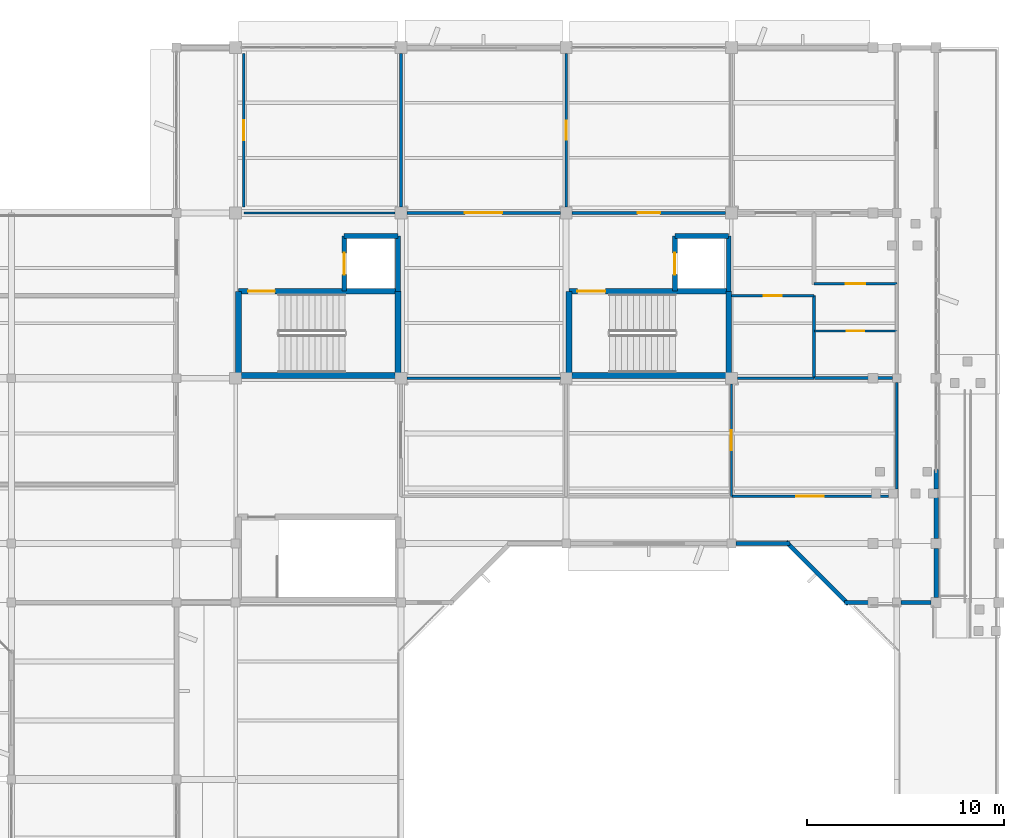
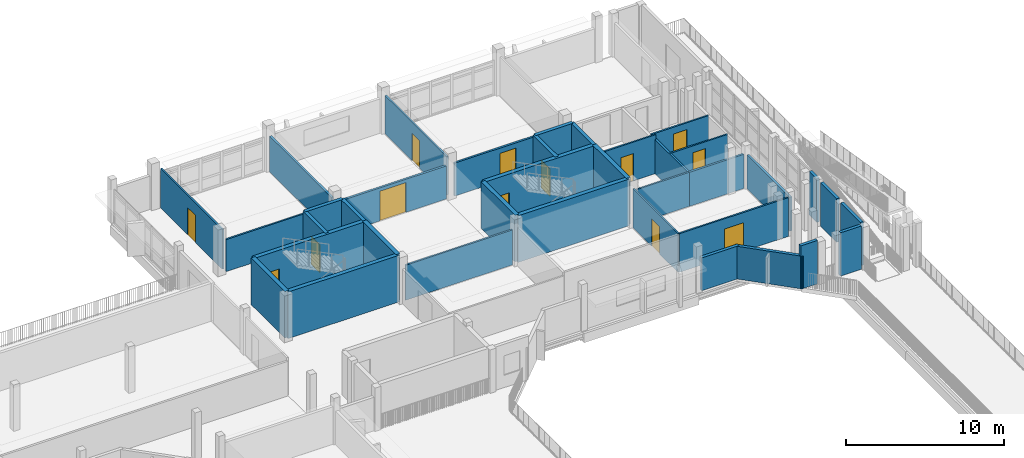
# One storey, part 23 of 42: 37 walls, 13 doors, 13 openings.
"""IFC4 building model written with IfcOpenShell, lengths in metres."""

from ifc_helpers import new_model, si_unit, direction, frame, frame_2d, origin, place, context, subcontext, project, spatial, rectangle, extrude, material, layer, layer_set, type_object, element, fill, save


model = new_model("IFC4")

# Units and contexts
model_context = context("Model", 3, precision=1e-05, world=origin(), true_north=direction((0.0, 1.0)))
body_context = subcontext(model_context, "Body", "Model", "MODEL_VIEW")
ifc_project = project(units=[si_unit("LENGTHUNIT", "METRE"), si_unit("AREAUNIT", "SQUARE_METRE"), si_unit("VOLUMEUNIT", "CUBIC_METRE"), si_unit("PLANEANGLEUNIT", "RADIAN"), si_unit("MASSUNIT", "GRAM", prefix="KILO")], contexts=[model_context])

# Site, building, storey
site_placement = place(None, origin())
site = spatial("IfcSite", under=ifc_project, at=site_placement, CompositionType="ELEMENT")
building_placement = place(site_placement, origin())
building = spatial("IfcBuilding", under=site, at=building_placement, Name="Vanh Quang Courtyard School", CompositionType="ELEMENT")
storey_placement = place(building_placement, frame((0.0, 0.0, 15.0)))
storey = spatial("IfcBuildingStorey", under=building, at=storey_placement, Name="L04", CompositionType="ELEMENT", Elevation=15.0)

# Walls
ifc_material_1 = material(Name="Concrete C35/45", Category="concrete")
ifc_layer_1 = layer(ifc_material_1, 0.300048828125)
ifc_layer_set_1 = layer_set([ifc_layer_1], Name="Concrete C35/45")
wall_type_1 = type_object("IfcWallType", Name="W-CORE-300", PredefinedType="SHEAR", material=ifc_layer_set_1)
wall_1_placement = place(storey_placement, frame((77.5400390625, 79.93994140625, 0.0), z_axis=(0.0, 0.0, 1.0), x_axis=(1.0, 0.0, 0.0)))
element("IfcWall", 1, at=wall_1_placement, inside=storey, type_object=wall_type_1, Name="Wall W-CORE1 (L04)", PredefinedType="SHEAR", context=body_context, shape_type="SweptSolid", body=[
    extrude(rectangle(XDim=8.119873046875, YDim=0.300048828125, at=frame_2d((4.06005859375, 0.0))), origin(), (0.0, 0.0, 1.0), 3.60009765625),
])
wall_2_placement = place(storey_placement, frame((85.659912109375, 79.93994140625, 0.0), z_axis=(0.0, 0.0, 1.0), x_axis=(0.0, 1.0, 0.0)))
element("IfcWall", 2, at=wall_2_placement, inside=storey, type_object=wall_type_1, Name="Wall W-CORE1 (L04)", PredefinedType="SHEAR", context=body_context, shape_type="SweptSolid", body=[
    extrude(rectangle(XDim=4.280029296875, YDim=0.300048828125, at=frame_2d((2.14013671875, 0.0))), origin(), (0.0, 0.0, 1.0), 3.60009765625),
])

# Wall, opening, door
wall_3_placement = place(storey_placement, frame((85.659912109375, 84.219970703125, 0.0), z_axis=(0.0, 0.0, 1.0), x_axis=(-1.0, 0.0, 0.0)))
wall_3 = element("IfcWall", 3, at=wall_3_placement, inside=storey, type_object=wall_type_1, Name="Wall W-CORE1 (L04)", PredefinedType="SHEAR", context=body_context, shape_type="SweptSolid", body=[
    extrude(rectangle(XDim=8.119873046875, YDim=0.300048828125, at=frame_2d((4.06005859375, 0.0))), origin(), (0.0, 0.0, 1.0), 3.60009765625),
])
opening_1_placement = place(wall_3_placement, frame((6.27001953125, 0.0, 0.0)))
opening_1 = element("IfcOpeningElement", 4, at=opening_1_placement, cuts=wall_3, Name="Opening L04-DS1", PredefinedType="OPENING", context=body_context, shape_type="SweptSolid", body=[
    extrude(rectangle(XDim=1.35009765625, YDim=2.14990234375, at=frame_2d((0.675048828125, 1.074951171875))), frame((0.0, 0.16015625, 0.0), z_axis=(0.0, -1.0, 0.0), x_axis=(1.0, 0.0, 0.0)), (0.0, 0.0, 1.0), 0.320068359375),
])
ifc_material_2 = material(Name="Painted galvanised steel fire door", Category="steel")
door_type_1 = type_object("IfcDoorType", Name="IDR-ST-1350x2150", OperationType="NOTDEFINED", PredefinedType="DOOR", material=ifc_material_2)
door_1_placement = place(opening_1_placement, frame((1.35009765625, 0.0, 0.0), z_axis=(0.0, 0.0, 1.0), x_axis=(-1.0, 0.0, 0.0)))
door_1 = element("IfcDoor", 5, at=door_1_placement, inside=storey, type_object=door_type_1, Name="Door L04-DS1 (L04)", OperationType="SINGLE_SWING_RIGHT", OverallHeight=2.14990234375, OverallWidth=1.35009765625, PredefinedType="DOOR", context=body_context, shape_type="SweptSolid", body=[
    extrude(rectangle(XDim=1.35009765625, YDim=2.14990234375, at=frame_2d((0.675048828125, 1.074951171875))), frame((0.0, 0.02490234375, 0.0), z_axis=(0.0, -1.0, 0.0), x_axis=(1.0, 0.0, 0.0)), (0.0, 0.0, 1.0), 0.050048828125),
])
fill(opening_1, door_1)

# Walls
wall_4_placement = place(storey_placement, frame((77.5400390625, 84.219970703125, 0.0), z_axis=(0.0, 0.0, 1.0), x_axis=(0.0, -1.0, 0.0)))
element("IfcWall", 6, at=wall_4_placement, inside=storey, type_object=wall_type_1, Name="Wall W-CORE1 (L04)", PredefinedType="SHEAR", context=body_context, shape_type="SweptSolid", body=[
    extrude(rectangle(XDim=4.280029296875, YDim=0.300048828125, at=frame_2d((2.14013671875, 0.0))), origin(), (0.0, 0.0, 1.0), 3.60009765625),
])
wall_5_placement = place(storey_placement, frame((94.340087890625, 79.93994140625, 0.0), z_axis=(0.0, 0.0, 1.0), x_axis=(1.0, 0.0, 0.0)))
element("IfcWall", 7, at=wall_5_placement, inside=storey, type_object=wall_type_1, Name="Wall W-CORE1 (L04)", PredefinedType="SHEAR", context=body_context, shape_type="SweptSolid", body=[
    extrude(rectangle(XDim=8.119873046875, YDim=0.300048828125, at=frame_2d((4.06005859375, 0.0))), origin(), (0.0, 0.0, 1.0), 3.60009765625),
])
wall_6_placement = place(storey_placement, frame((102.4599609375, 79.93994140625, 0.0), z_axis=(0.0, 0.0, 1.0), x_axis=(0.0, 1.0, 0.0)))
element("IfcWall", 8, at=wall_6_placement, inside=storey, type_object=wall_type_1, Name="Wall W-CORE1 (L04)", PredefinedType="SHEAR", context=body_context, shape_type="SweptSolid", body=[
    extrude(rectangle(XDim=4.280029296875, YDim=0.300048828125, at=frame_2d((2.14013671875, 0.0))), origin(), (0.0, 0.0, 1.0), 3.60009765625),
])

# Wall, opening, door
wall_7_placement = place(storey_placement, frame((102.4599609375, 84.219970703125, 0.0), z_axis=(0.0, 0.0, 1.0), x_axis=(-1.0, 0.0, 0.0)))
wall_7 = element("IfcWall", 9, at=wall_7_placement, inside=storey, type_object=wall_type_1, Name="Wall W-CORE1 (L04)", PredefinedType="SHEAR", context=body_context, shape_type="SweptSolid", body=[
    extrude(rectangle(XDim=8.119873046875, YDim=0.300048828125, at=frame_2d((4.06005859375, 0.0))), origin(), (0.0, 0.0, 1.0), 3.60009765625),
])
opening_2_placement = place(wall_7_placement, frame((6.27001953125, 0.0, 0.0)))
opening_2 = element("IfcOpeningElement", 10, at=opening_2_placement, cuts=wall_7, Name="Opening L04-DS2", PredefinedType="OPENING", context=body_context, shape_type="SweptSolid", body=[
    extrude(rectangle(XDim=1.419921875, YDim=2.14990234375, at=frame_2d((0.7099609375, 1.074951171875))), frame((0.0, 0.16015625, 0.0), z_axis=(0.0, -1.0, 0.0), x_axis=(1.0, 0.0, 0.0)), (0.0, 0.0, 1.0), 0.320068359375),
])
door_type_2 = type_object("IfcDoorType", Name="IDR-ST-1420x2150", OperationType="NOTDEFINED", PredefinedType="DOOR", material=ifc_material_2)
door_2_placement = place(opening_2_placement, frame((1.419921875, 0.0, 0.0), z_axis=(0.0, 0.0, 1.0), x_axis=(-1.0, 0.0, 0.0)))
door_2 = element("IfcDoor", 11, at=door_2_placement, inside=storey, type_object=door_type_2, Name="Door L04-DS2 (L04)", OperationType="SINGLE_SWING_LEFT", OverallHeight=2.14990234375, OverallWidth=1.419921875, PredefinedType="DOOR", context=body_context, shape_type="SweptSolid", body=[
    extrude(rectangle(XDim=1.419921875, YDim=2.14990234375, at=frame_2d((0.7099609375, 1.074951171875))), frame((0.0, 0.02490234375, 0.0), z_axis=(0.0, -1.0, 0.0), x_axis=(1.0, 0.0, 0.0)), (0.0, 0.0, 1.0), 0.050048828125),
])
fill(opening_2, door_2)

# Walls
wall_8_placement = place(storey_placement, frame((94.340087890625, 84.219970703125, 0.0), z_axis=(0.0, 0.0, 1.0), x_axis=(0.0, -1.0, 0.0)))
element("IfcWall", 12, at=wall_8_placement, inside=storey, type_object=wall_type_1, Name="Wall W-CORE1 (L04)", PredefinedType="SHEAR", context=body_context, shape_type="SweptSolid", body=[
    extrude(rectangle(XDim=4.280029296875, YDim=0.300048828125, at=frame_2d((2.14013671875, 0.0))), origin(), (0.0, 0.0, 1.0), 3.60009765625),
])
ifc_material_3 = material(Name="Concrete C30/37", Category="concrete")
ifc_layer_2 = layer(ifc_material_3, 0.219970703125)
ifc_layer_set_2 = layer_set([ifc_layer_2], Name="Concrete C30/37")
wall_type_2 = type_object("IfcWallType", Name="W-EXT-220", PredefinedType="SOLIDWALL", material=ifc_layer_set_2)
wall_9_placement = place(storey_placement, frame((113.0, 75.169921875, 0.0), z_axis=(0.0, 0.0, 1.0), x_axis=(0.0, -1.0, 0.0)))
element("IfcWall", 13, at=wall_9_placement, inside=storey, type_object=wall_type_2, Name="Wall WE-04 (L04)", PredefinedType="SOLIDWALL", context=body_context, shape_type="SweptSolid", body=[
    extrude(rectangle(XDim=0.996826171875, YDim=0.219970703125, at=frame_2d((0.49853515625, 0.0))), origin(), (0.0, 0.0, 1.0), 3.35009765625),
])
wall_10_placement = place(storey_placement, frame((113.0, 73.72705078125, 0.0), z_axis=(0.0, 0.0, 1.0), x_axis=(0.0, -1.0, 0.0)))
element("IfcWall", 14, at=wall_10_placement, inside=storey, type_object=wall_type_2, Name="Wall WE-04 (L04)", PredefinedType="SOLIDWALL", context=body_context, shape_type="SweptSolid", body=[
    extrude(rectangle(XDim=2.0791015625, YDim=0.219970703125, at=frame_2d((1.03955078125, 0.0))), origin(), (0.0, 0.0, 1.0), 3.35009765625),
])
wall_11_placement = place(storey_placement, frame((113.0, 71.152099609375, 0.0), z_axis=(0.0, 0.0, 1.0), x_axis=(0.0, -1.0, 0.0)))
element("IfcWall", 15, at=wall_11_placement, inside=storey, type_object=wall_type_2, Name="Wall WE-04 (L04)", PredefinedType="SOLIDWALL", context=body_context, shape_type="SweptSolid", body=[
    extrude(rectangle(XDim=2.504150390625, YDim=0.219970703125, at=frame_2d((1.251953125, 0.0))), origin(), (0.0, 0.0, 1.0), 3.35009765625),
])
wall_12_placement = place(storey_placement, frame((112.751953125, 68.39990234375, 0.0), z_axis=(0.0, 0.0, 1.0), x_axis=(-1.0, 0.0, 0.0)))
element("IfcWall", 16, at=wall_12_placement, inside=storey, type_object=wall_type_2, Name="Wall WE-04 (L04)", PredefinedType="SOLIDWALL", context=body_context, shape_type="SweptSolid", body=[
    extrude(rectangle(XDim=1.529052734375, YDim=0.219970703125, at=frame_2d((0.7646484375, 0.0))), origin(), (0.0, 0.0, 1.0), 3.35009765625),
])
wall_13_placement = place(storey_placement, frame((109.552001953125, 68.39990234375, 0.0), z_axis=(0.0, 0.0, 1.0), x_axis=(-1.0, 0.0, 0.0)))
element("IfcWall", 17, at=wall_13_placement, inside=storey, type_object=wall_type_2, Name="Wall WE-04 (L04)", PredefinedType="SOLIDWALL", context=body_context, shape_type="SweptSolid", body=[
    extrude(rectangle(XDim=1.216064453125, YDim=0.219970703125, at=frame_2d((0.60791015625, 0.0))), origin(), (0.0, 0.0, 1.0), 3.35009765625),
])
wall_14_placement = place(storey_placement, frame((108.541015625, 68.315185546875, 0.0), z_axis=(0.0, 0.0, 1.0), x_axis=(-0.707134011639, 0.707079549685, 0.0)))
element("IfcWall", 18, at=wall_14_placement, inside=storey, type_object=wall_type_2, Name="Wall WE-04 (L04)", PredefinedType="SOLIDWALL", context=body_context, shape_type="SweptSolid", body=[
    extrude(rectangle(XDim=4.482666015625, YDim=0.219970703125, at=frame_2d((2.2412109375, 0.0))), origin(), (0.0, 0.0, 1.0), 2.530029296875),
])
wall_15_placement = place(storey_placement, frame((105.575927734375, 71.39990234375, 0.0), z_axis=(0.0, 0.0, 1.0), x_axis=(-1.0, 0.0, 0.0)))
element("IfcWall", 19, at=wall_15_placement, inside=storey, type_object=wall_type_2, Name="Wall WE-04 (L04)", PredefinedType="SOLIDWALL", context=body_context, shape_type="SweptSolid", body=[
    extrude(rectangle(XDim=2.7529296875, YDim=0.219970703125, at=frame_2d((1.37646484375, 0.0))), origin(), (0.0, 0.0, 1.0), 2.530029296875),
])

# Wall, opening, door
ifc_material_4 = material(Name="Acoustic gypsum stud partition", Category="gypsum")
ifc_layer_3 = layer(ifc_material_4, 0.1201171875)
ifc_layer_set_3 = layer_set([ifc_layer_3], Name="Acoustic gypsum stud partition")
wall_type_3 = type_object("IfcWallType", Name="W-PART-120", PredefinedType="PARTITIONING", material=ifc_layer_set_3)
wall_16_placement = place(storey_placement, frame((102.60009765625, 84.0, 0.0), z_axis=(0.0, 0.0, 1.0), x_axis=(1.0, 0.0, 0.0)))
wall_16 = element("IfcWall", 20, at=wall_16_placement, inside=storey, type_object=wall_type_3, Name="Wall W-PRT2 (L04)", PredefinedType="PARTITIONING", context=body_context, shape_type="SweptSolid", body=[
    extrude(rectangle(XDim=4.199951171875, YDim=0.1201171875, at=frame_2d((2.10009765625, 0.0))), origin(), (0.0, 0.0, 1.0), 2.989990234375),
])
opening_3_placement = place(wall_16_placement, frame((1.64990234375, 0.0, 0.0)))
opening_3 = element("IfcOpeningElement", 21, at=opening_3_placement, cuts=wall_16, Name="Opening L04-D156", PredefinedType="OPENING", context=body_context, shape_type="SweptSolid", body=[
    extrude(rectangle(XDim=0.89990234375, YDim=2.10009765625, at=frame_2d((0.449951171875, 1.050048828125))), frame((0.0, 0.070068359375, 0.0), z_axis=(0.0, -1.0, 0.0), x_axis=(1.0, 0.0, 0.0)), (0.0, 0.0, 1.0), 0.14013671875),
])
ifc_material_5 = material(Name="Solid-core hardwood acoustic door", Category="wood")
door_type_3 = type_object("IfcDoorType", Name="IDR-WC-0900x2100", OperationType="NOTDEFINED", PredefinedType="DOOR", material=ifc_material_5)
door_3_placement = place(opening_3_placement, origin())
door_3 = element("IfcDoor", 22, at=door_3_placement, inside=storey, type_object=door_type_3, Name="Door L04-D156 (L04)", OperationType="SINGLE_SWING_LEFT", OverallHeight=2.10009765625, OverallWidth=0.89990234375, PredefinedType="DOOR", context=body_context, shape_type="SweptSolid", body=[
    extrude(rectangle(XDim=0.89990234375, YDim=2.10009765625, at=frame_2d((0.449951171875, 1.050048828125))), frame((0.0, 0.02490234375, 0.0), z_axis=(0.0, -1.0, 0.0), x_axis=(1.0, 0.0, 0.0)), (0.0, 0.0, 1.0), 0.050048828125),
])
fill(opening_3, door_3)

# Wall
wall_17_placement = place(storey_placement, frame((106.800048828125, 79.800048828125, 0.0), z_axis=(0.0, 0.0, 1.0), x_axis=(-1.0, 0.0, 0.0)))
element("IfcWall", 23, at=wall_17_placement, inside=storey, type_object=wall_type_3, Name="Wall W-PRT2 (L04)", PredefinedType="PARTITIONING", context=body_context, shape_type="SweptSolid", body=[
    extrude(rectangle(XDim=3.902099609375, YDim=0.1201171875, at=frame_2d((1.951171875, 0.0))), origin(), (0.0, 0.0, 1.0), 2.6298828125),
])

# Wall, opening, door
wall_18_placement = place(storey_placement, frame((106.820068359375, 82.199951171875, 0.0), z_axis=(0.0, 0.0, 1.0), x_axis=(1.0, 0.0, 0.0)))
wall_18 = element("IfcWall", 24, at=wall_18_placement, inside=storey, type_object=wall_type_3, Name="Wall W-PRT2 (L04)", PredefinedType="PARTITIONING", context=body_context, shape_type="SweptSolid", body=[
    extrude(rectangle(XDim=4.179931640625, YDim=0.1201171875, at=frame_2d((2.08984375, 0.0))), origin(), (0.0, 0.0, 1.0), 2.6298828125),
])
opening_4_placement = place(wall_18_placement, frame((1.639892578125, 0.0, 0.0)))
opening_4 = element("IfcOpeningElement", 25, at=opening_4_placement, cuts=wall_18, Name="Opening L04-D157", PredefinedType="OPENING", context=body_context, shape_type="SweptSolid", body=[
    extrude(rectangle(XDim=0.89990234375, YDim=2.10009765625, at=frame_2d((0.449951171875, 1.050048828125))), frame((0.0, 0.070068359375, 0.0), z_axis=(0.0, -1.0, 0.0), x_axis=(1.0, 0.0, 0.0)), (0.0, 0.0, 1.0), 0.14013671875),
])
door_4_placement = place(opening_4_placement, origin())
door_4 = element("IfcDoor", 26, at=door_4_placement, inside=storey, type_object=door_type_3, Name="Door L04-D157 (L04)", OperationType="SINGLE_SWING_RIGHT", OverallHeight=2.10009765625, OverallWidth=0.89990234375, PredefinedType="DOOR", context=body_context, shape_type="SweptSolid", body=[
    extrude(rectangle(XDim=0.89990234375, YDim=2.10009765625, at=frame_2d((0.449951171875, 1.050048828125))), frame((0.0, 0.02490234375, 0.0), z_axis=(0.0, -1.0, 0.0), x_axis=(1.0, 0.0, 0.0)), (0.0, 0.0, 1.0), 0.050048828125),
])
fill(opening_4, door_4)

wall_19_placement = place(storey_placement, frame((106.800048828125, 84.60009765625, 0.0), z_axis=(0.0, 0.0, 1.0), x_axis=(1.0, 0.0, 0.0)))
wall_19 = element("IfcWall", 27, at=wall_19_placement, inside=storey, type_object=wall_type_3, Name="Wall W-PRT2 (L04)", PredefinedType="PARTITIONING", context=body_context, shape_type="SweptSolid", body=[
    extrude(rectangle(XDim=4.199951171875, YDim=0.1201171875, at=frame_2d((2.10009765625, 0.0))), origin(), (0.0, 0.0, 1.0), 2.6298828125),
])
opening_5_placement = place(wall_19_placement, frame((1.610107421875, 0.0, 0.0)))
opening_5 = element("IfcOpeningElement", 28, at=opening_5_placement, cuts=wall_19, Name="Opening L04-D158", PredefinedType="OPENING", context=body_context, shape_type="SweptSolid", body=[
    extrude(rectangle(XDim=0.97998046875, YDim=2.10009765625, at=frame_2d((0.489990234375, 1.050048828125))), frame((0.0, 0.070068359375, 0.0), z_axis=(0.0, -1.0, 0.0), x_axis=(1.0, 0.0, 0.0)), (0.0, 0.0, 1.0), 0.14013671875),
])
door_type_4 = type_object("IfcDoorType", Name="IDR-AWC-0980x2100", OperationType="NOTDEFINED", PredefinedType="DOOR", material=ifc_material_5)
door_5_placement = place(opening_5_placement, origin())
door_5 = element("IfcDoor", 29, at=door_5_placement, inside=storey, type_object=door_type_4, Name="Door L04-D158 (L04)", OperationType="SINGLE_SWING_LEFT", OverallHeight=2.10009765625, OverallWidth=0.97998046875, PredefinedType="DOOR", context=body_context, shape_type="SweptSolid", body=[
    extrude(rectangle(XDim=0.97998046875, YDim=2.10009765625, at=frame_2d((0.489990234375, 1.050048828125))), frame((0.0, 0.02490234375, 0.0), z_axis=(0.0, -1.0, 0.0), x_axis=(1.0, 0.0, 0.0)), (0.0, 0.0, 1.0), 0.050048828125),
])
fill(opening_5, door_5)

wall_20_placement = place(storey_placement, frame((77.820068359375, 88.498046875, 0.0), z_axis=(0.0, 0.0, 1.0), x_axis=(0.0, 1.0, 0.0)))
wall_20 = element("IfcWall", 30, at=wall_20_placement, inside=storey, type_object=wall_type_3, Name="Wall W-PRT2 (L04)", PredefinedType="PARTITIONING", context=body_context, shape_type="SweptSolid", body=[
    extrude(rectangle(XDim=7.803955078125, YDim=0.1201171875, at=frame_2d((3.90185546875, 0.0))), origin(), (0.0, 0.0, 1.0), 3.050048828125),
])
opening_6_placement = place(wall_20_placement, frame((3.402099609375, 0.0, 0.0)))
opening_6 = element("IfcOpeningElement", 31, at=opening_6_placement, cuts=wall_20, Name="Opening L04-D166", PredefinedType="OPENING", context=body_context, shape_type="SweptSolid", body=[
    extrude(rectangle(XDim=1.0, YDim=2.10009765625, at=frame_2d((0.5, 1.050048828125))), frame((0.0, 0.070068359375, 0.0), z_axis=(0.0, -1.0, 0.0), x_axis=(1.0, 0.0, 0.0)), (0.0, 0.0, 1.0), 0.14013671875),
])
door_type_5 = type_object("IfcDoorType", Name="IDR-CLS-1000x2100", OperationType="NOTDEFINED", PredefinedType="DOOR", material=ifc_material_5)
door_6_placement = place(opening_6_placement, origin())
door_6 = element("IfcDoor", 32, at=door_6_placement, inside=storey, type_object=door_type_5, Name="Door L04-D166 (L04)", OperationType="SINGLE_SWING_LEFT", OverallHeight=2.10009765625, OverallWidth=1.0, PredefinedType="DOOR", context=body_context, shape_type="SweptSolid", body=[
    extrude(rectangle(XDim=1.0, YDim=2.10009765625, at=frame_2d((0.5, 1.050048828125))), frame((0.0, 0.02490234375, 0.0), z_axis=(0.0, -1.0, 0.0), x_axis=(1.0, 0.0, 0.0)), (0.0, 0.0, 1.0), 0.050048828125),
])
fill(opening_6, door_6)

# Walls
wall_21_placement = place(storey_placement, frame((85.501953125, 88.199951171875, 0.0), z_axis=(0.0, 0.0, 1.0), x_axis=(-1.0, 0.0, 0.0)))
element("IfcWall", 33, at=wall_21_placement, inside=storey, type_object=wall_type_3, Name="Wall W-PRT2 (L04)", PredefinedType="PARTITIONING", context=body_context, shape_type="SweptSolid", body=[
    extrude(rectangle(XDim=7.681884765625, YDim=0.1201171875, at=frame_2d((3.8408203125, 0.0))), origin(), (0.0, 0.0, 1.0), 2.47998046875),
])
wall_22_placement = place(storey_placement, frame((86.097900390625, 79.800048828125, 0.0), z_axis=(0.0, 0.0, 1.0), x_axis=(1.0, 0.0, 0.0)))
element("IfcWall", 34, at=wall_22_placement, inside=storey, type_object=wall_type_3, Name="Wall W-PRT2 (L04)", PredefinedType="PARTITIONING", context=body_context, shape_type="SweptSolid", body=[
    extrude(rectangle(XDim=7.80419921875, YDim=0.1201171875, at=frame_2d((3.902099609375, 0.0))), origin(), (0.0, 0.0, 1.0), 2.699951171875),
])

# Wall, opening, door
wall_23_placement = place(storey_placement, frame((94.199951171875, 96.302001953125, 0.0), z_axis=(0.0, 0.0, 1.0), x_axis=(0.0, -1.0, 0.0)))
wall_23 = element("IfcWall", 35, at=wall_23_placement, inside=storey, type_object=wall_type_3, Name="Wall W-PRT2 (L04)", PredefinedType="PARTITIONING", context=body_context, shape_type="SweptSolid", body=[
    extrude(rectangle(XDim=7.803955078125, YDim=0.1201171875, at=frame_2d((3.90185546875, 0.0))), origin(), (0.0, 0.0, 1.0), 2.949951171875),
])
opening_7_placement = place(wall_23_placement, frame((3.427001953125, 0.0, 0.0)))
opening_7 = element("IfcOpeningElement", 36, at=opening_7_placement, cuts=wall_23, Name="Opening L04-D169", PredefinedType="OPENING", context=body_context, shape_type="SweptSolid", body=[
    extrude(rectangle(XDim=0.949951171875, YDim=2.10009765625, at=frame_2d((0.47509765625, 1.050048828125))), frame((0.0, 0.070068359375, 0.0), z_axis=(0.0, -1.0, 0.0), x_axis=(1.0, 0.0, 0.0)), (0.0, 0.0, 1.0), 0.14013671875),
])
door_type_6 = type_object("IfcDoorType", Name="IDR-CLS-0950x2100", OperationType="NOTDEFINED", PredefinedType="DOOR", material=ifc_material_5)
door_7_placement = place(opening_7_placement, origin())
door_7 = element("IfcDoor", 37, at=door_7_placement, inside=storey, type_object=door_type_6, Name="Door L04-D169 (L04)", OperationType="SINGLE_SWING_RIGHT", OverallHeight=2.10009765625, OverallWidth=0.949951171875, PredefinedType="DOOR", context=body_context, shape_type="SweptSolid", body=[
    extrude(rectangle(XDim=0.949951171875, YDim=2.10009765625, at=frame_2d((0.47509765625, 1.050048828125))), frame((0.0, 0.02490234375, 0.0), z_axis=(0.0, -1.0, 0.0), x_axis=(1.0, 0.0, 0.0)), (0.0, 0.0, 1.0), 0.050048828125),
])
fill(opening_7, door_7)

wall_24_placement = place(storey_placement, frame((102.60009765625, 79.501953125, 0.0), z_axis=(0.0, 0.0, 1.0), x_axis=(0.0, -1.0, 0.0)))
wall_24 = element("IfcWall", 38, at=wall_24_placement, inside=storey, type_object=wall_type_3, Name="Wall W-PRT2 (L04)", PredefinedType="PARTITIONING", context=body_context, shape_type="SweptSolid", body=[
    extrude(rectangle(XDim=5.701904296875, YDim=0.1201171875, at=frame_2d((2.85107421875, 0.0))), origin(), (0.0, 0.0, 1.0), 2.989990234375),
])
opening_8_placement = place(wall_24_placement, frame((2.35107421875, 0.0, 0.0)))
opening_8 = element("IfcOpeningElement", 39, at=opening_8_placement, cuts=wall_24, Name="Opening L04-D170", PredefinedType="OPENING", context=body_context, shape_type="SweptSolid", body=[
    extrude(rectangle(XDim=1.0, YDim=2.10009765625, at=frame_2d((0.5, 1.050048828125))), frame((0.0, 0.070068359375, 0.0), z_axis=(0.0, -1.0, 0.0), x_axis=(1.0, 0.0, 0.0)), (0.0, 0.0, 1.0), 0.14013671875),
])
door_8_placement = place(opening_8_placement, origin())
door_8 = element("IfcDoor", 40, at=door_8_placement, inside=storey, type_object=door_type_5, Name="Door L04-D170 (L04)", OperationType="SINGLE_SWING_LEFT", OverallHeight=2.10009765625, OverallWidth=1.0, PredefinedType="DOOR", context=body_context, shape_type="SweptSolid", body=[
    extrude(rectangle(XDim=1.0, YDim=2.10009765625, at=frame_2d((0.5, 1.050048828125))), frame((0.0, 0.02490234375, 0.0), z_axis=(0.0, -1.0, 0.0), x_axis=(1.0, 0.0, 0.0)), (0.0, 0.0, 1.0), 0.050048828125),
])
fill(opening_8, door_8)

wall_25_placement = place(storey_placement, frame((110.576904296875, 73.800048828125, 0.0), z_axis=(0.0, 0.0, 1.0), x_axis=(-1.0, 0.0, 0.0)))
wall_25 = element("IfcWall", 41, at=wall_25_placement, inside=storey, type_object=wall_type_3, Name="Wall W-PRT2 (L04)", PredefinedType="PARTITIONING", context=body_context, shape_type="SweptSolid", body=[
    extrude(rectangle(XDim=7.956787109375, YDim=0.1201171875, at=frame_2d((3.978515625, 0.0))), origin(), (0.0, 0.0, 1.0), 2.989990234375),
])
opening_9_placement = place(wall_25_placement, frame((3.278564453125, 0.0, 0.0)))
opening_9 = element("IfcOpeningElement", 42, at=opening_9_placement, cuts=wall_25, Name="Opening L04-D172", PredefinedType="OPENING", context=body_context, shape_type="SweptSolid", body=[
    extrude(rectangle(XDim=1.39990234375, YDim=2.199951171875, at=frame_2d((0.699951171875, 1.10009765625))), frame((0.0, 0.070068359375, 0.0), z_axis=(0.0, -1.0, 0.0), x_axis=(1.0, 0.0, 0.0)), (0.0, 0.0, 1.0), 0.14013671875),
])
door_type_7 = type_object("IfcDoorType", Name="IDR-STU-1400x2200", OperationType="NOTDEFINED", PredefinedType="DOOR", material=ifc_material_5)
door_9_placement = place(opening_9_placement, origin())
door_9 = element("IfcDoor", 43, at=door_9_placement, inside=storey, type_object=door_type_7, Name="Door L04-D172 (L04)", OperationType="SINGLE_SWING_LEFT", OverallHeight=2.199951171875, OverallWidth=1.39990234375, PredefinedType="DOOR", context=body_context, shape_type="SweptSolid", body=[
    extrude(rectangle(XDim=1.39990234375, YDim=2.199951171875, at=frame_2d((0.699951171875, 1.10009765625))), frame((0.0, 0.02490234375, 0.0), z_axis=(0.0, -1.0, 0.0), x_axis=(1.0, 0.0, 0.0)), (0.0, 0.0, 1.0), 0.050048828125),
])
fill(opening_9, door_9)

# Walls
ifc_material_6 = material(Name="Autoclaved aerated masonry blockwork", Category="masonry")
ifc_layer_4 = layer(ifc_material_6, 0.14990234375)
ifc_layer_set_4 = layer_set([ifc_layer_4], Name="Autoclaved aerated masonry blockwork")
wall_type_4 = type_object("IfcWallType", Name="W-PART-150", PredefinedType="PARTITIONING", material=ifc_layer_set_4)
wall_26_placement = place(storey_placement, frame((106.800048828125, 84.0, 0.0), z_axis=(0.0, 0.0, 1.0), x_axis=(0.0, -1.0, 0.0)))
element("IfcWall", 44, at=wall_26_placement, inside=storey, type_object=wall_type_4, Name="Wall W-PRT1 (L04)", PredefinedType="PARTITIONING", context=body_context, shape_type="SweptSolid", body=[
    extrude(rectangle(XDim=4.199951171875, YDim=0.14990234375, at=frame_2d((2.10009765625, 0.0))), origin(), (0.0, 0.0, 1.0), 2.6298828125),
])
wall_27_placement = place(storey_placement, frame((110.777099609375, 79.800048828125, 0.0), z_axis=(0.0, 0.0, 1.0), x_axis=(-1.0, 0.0, 0.0)))
element("IfcWall", 45, at=wall_27_placement, inside=storey, type_object=wall_type_4, Name="Wall W-PRT1 (L04)", PredefinedType="PARTITIONING", context=body_context, shape_type="SweptSolid", body=[
    extrude(rectangle(XDim=3.95703125, YDim=0.14990234375, at=frame_2d((1.978515625, 0.0))), origin(), (0.0, 0.0, 1.0), 2.6298828125),
])
wall_28_placement = place(storey_placement, frame((85.800048828125, 96.302001953125, 0.0), z_axis=(0.0, 0.0, 1.0), x_axis=(0.0, -1.0, 0.0)))
element("IfcWall", 46, at=wall_28_placement, inside=storey, type_object=wall_type_4, Name="Wall W-PRT1 (L04)", PredefinedType="PARTITIONING", context=body_context, shape_type="SweptSolid", body=[
    extrude(rectangle(XDim=7.803955078125, YDim=0.14990234375, at=frame_2d((3.90185546875, 0.0))), origin(), (0.0, 0.0, 1.0), 2.75),
])

# Wall, opening, door
wall_29_placement = place(storey_placement, frame((86.097900390625, 88.199951171875, 0.0), z_axis=(0.0, 0.0, 1.0), x_axis=(1.0, 0.0, 0.0)))
wall_29 = element("IfcWall", 47, at=wall_29_placement, inside=storey, type_object=wall_type_4, Name="Wall W-PRT1 (L04)", PredefinedType="PARTITIONING", context=body_context, shape_type="SweptSolid", body=[
    extrude(rectangle(XDim=7.80419921875, YDim=0.14990234375, at=frame_2d((3.902099609375, 0.0))), origin(), (0.0, 0.0, 1.0), 2.550048828125),
])
opening_10_placement = place(wall_29_placement, frame((2.951904296875, 0.0, 0.0)))
opening_10 = element("IfcOpeningElement", 48, at=opening_10_placement, cuts=wall_29, Name="Opening L04-D168", PredefinedType="OPENING", context=body_context, shape_type="SweptSolid", body=[
    extrude(rectangle(XDim=1.89990234375, YDim=2.300048828125, at=frame_2d((0.949951171875, 1.14990234375))), frame((0.0, 0.0849609375, 0.0), z_axis=(0.0, -1.0, 0.0), x_axis=(1.0, 0.0, 0.0)), (0.0, 0.0, 1.0), 0.169921875),
])
door_type_8 = type_object("IfcDoorType", Name="IDR-HAL-1900x2300", OperationType="NOTDEFINED", PredefinedType="DOOR", material=ifc_material_2)
door_10_placement = place(opening_10_placement, origin())
door_10 = element("IfcDoor", 49, at=door_10_placement, inside=storey, type_object=door_type_8, Name="Door L04-D168 (L04)", OperationType="DOUBLE_DOOR_SINGLE_SWING", OverallHeight=2.300048828125, OverallWidth=1.89990234375, PredefinedType="DOOR", context=body_context, shape_type="SweptSolid", body=[
    extrude(rectangle(XDim=1.89990234375, YDim=2.300048828125, at=frame_2d((0.949951171875, 1.14990234375))), frame((0.0, 0.02490234375, 0.0), z_axis=(0.0, -1.0, 0.0), x_axis=(1.0, 0.0, 0.0)), (0.0, 0.0, 1.0), 0.050048828125),
])
fill(opening_10, door_10)

wall_30_placement = place(storey_placement, frame((102.302001953125, 88.199951171875, 0.0), z_axis=(0.0, 0.0, 1.0), x_axis=(-1.0, 0.0, 0.0)))
wall_30 = element("IfcWall", 50, at=wall_30_placement, inside=storey, type_object=wall_type_4, Name="Wall W-PRT1 (L04)", PredefinedType="PARTITIONING", context=body_context, shape_type="SweptSolid", body=[
    extrude(rectangle(XDim=7.803955078125, YDim=0.14990234375, at=frame_2d((3.90185546875, 0.0))), origin(), (0.0, 0.0, 1.0), 2.550048828125),
])
opening_11_placement = place(wall_30_placement, frame((3.326904296875, 0.0, 0.0)))
opening_11 = element("IfcOpeningElement", 51, at=opening_11_placement, cuts=wall_30, Name="Opening L04-D171", PredefinedType="OPENING", context=body_context, shape_type="SweptSolid", body=[
    extrude(rectangle(XDim=1.14990234375, YDim=2.14990234375, at=frame_2d((0.574951171875, 1.074951171875))), frame((0.0, 0.0849609375, 0.0), z_axis=(0.0, -1.0, 0.0), x_axis=(1.0, 0.0, 0.0)), (0.0, 0.0, 1.0), 0.169921875),
])
door_type_9 = type_object("IfcDoorType", Name="IDR-LAB-1150x2150", OperationType="NOTDEFINED", PredefinedType="DOOR", material=ifc_material_2)
door_11_placement = place(opening_11_placement, origin())
door_11 = element("IfcDoor", 52, at=door_11_placement, inside=storey, type_object=door_type_9, Name="Door L04-D171 (L04)", OperationType="SINGLE_SWING_RIGHT", OverallHeight=2.14990234375, OverallWidth=1.14990234375, PredefinedType="DOOR", context=body_context, shape_type="SweptSolid", body=[
    extrude(rectangle(XDim=1.14990234375, YDim=2.14990234375, at=frame_2d((0.574951171875, 1.074951171875))), frame((0.0, 0.02490234375, 0.0), z_axis=(0.0, -1.0, 0.0), x_axis=(1.0, 0.0, 0.0)), (0.0, 0.0, 1.0), 0.050048828125),
])
fill(opening_11, door_11)

# Wall
wall_31_placement = place(storey_placement, frame((111.0, 79.576904296875, 0.0), z_axis=(0.0, 0.0, 1.0), x_axis=(0.0, -1.0, 0.0)))
element("IfcWall", 53, at=wall_31_placement, inside=storey, type_object=wall_type_4, Name="Wall W-PRT1 (L04)", PredefinedType="PARTITIONING", context=body_context, shape_type="SweptSolid", body=[
    extrude(rectangle(XDim=5.40380859375, YDim=0.14990234375, at=frame_2d((2.701904296875, 0.0))), origin(), (0.0, 0.0, 1.0), 2.6298828125),
])

# Wall, opening, door
ifc_layer_5 = layer(ifc_material_1, 0.25)
ifc_layer_set_5 = layer_set([ifc_layer_5], Name="Concrete C35/45")
wall_type_5 = type_object("IfcWallType", Name="W-SHFT-250", PredefinedType="SHEAR", material=ifc_layer_set_5)
wall_32_placement = place(storey_placement, frame((82.919921875, 87.02001953125, 0.0), z_axis=(0.0, 0.0, 1.0), x_axis=(0.0, -1.0, 0.0)))
wall_32 = element("IfcWall", 54, at=wall_32_placement, inside=storey, type_object=wall_type_5, Name="Wall W-SHFT1 (L04)", PredefinedType="SHEAR", context=body_context, shape_type="SweptSolid", body=[
    extrude(rectangle(XDim=2.800048828125, YDim=0.25, at=frame_2d((1.39990234375, 0.0))), origin(), (0.0, 0.0, 1.0), 3.60009765625),
])
opening_12_placement = place(wall_32_placement, frame((0.85009765625, 0.0, 0.0)))
opening_12 = element("IfcOpeningElement", 55, at=opening_12_placement, cuts=wall_32, Name="Opening LD-01-L04", PredefinedType="OPENING", context=body_context, shape_type="SweptSolid", body=[
    extrude(rectangle(XDim=1.10009765625, YDim=2.14990234375, at=frame_2d((0.550048828125, 1.074951171875))), frame((0.0, 0.135009765625, 0.0), z_axis=(0.0, -1.0, 0.0), x_axis=(1.0, 0.0, 0.0)), (0.0, 0.0, 1.0), 0.27001953125),
])
door_type_10 = type_object("IfcDoorType", Name="IDR-LD-1100x2150", OperationType="NOTDEFINED", PredefinedType="DOOR", material=ifc_material_2)
door_12_placement = place(opening_12_placement, origin())
door_12 = element("IfcDoor", 56, at=door_12_placement, inside=storey, type_object=door_type_10, Name="Door LD-01-L04 (L04)", OperationType="DOUBLE_DOOR_SLIDING", OverallHeight=2.14990234375, OverallWidth=1.10009765625, PredefinedType="DOOR", context=body_context, shape_type="SweptSolid", body=[
    extrude(rectangle(XDim=1.10009765625, YDim=2.14990234375, at=frame_2d((0.550048828125, 1.074951171875))), frame((0.0, 0.02490234375, 0.0), z_axis=(0.0, -1.0, 0.0), x_axis=(1.0, 0.0, 0.0)), (0.0, 0.0, 1.0), 0.050048828125),
])
fill(opening_12, door_12)

# Walls
wall_33_placement = place(storey_placement, frame((85.659912109375, 87.02001953125, 0.0), z_axis=(0.0, 0.0, 1.0), x_axis=(-1.0, 0.0, 0.0)))
element("IfcWall", 57, at=wall_33_placement, inside=storey, type_object=wall_type_5, Name="Wall W-SHFT1 (L04)", PredefinedType="SHEAR", context=body_context, shape_type="SweptSolid", body=[
    extrude(rectangle(XDim=2.739990234375, YDim=0.25, at=frame_2d((1.3701171875, 0.0))), origin(), (0.0, 0.0, 1.0), 3.60009765625),
])
wall_34_placement = place(storey_placement, frame((85.659912109375, 84.219970703125, 0.0), z_axis=(0.0, 0.0, 1.0), x_axis=(0.0, 1.0, 0.0)))
element("IfcWall", 58, at=wall_34_placement, inside=storey, type_object=wall_type_5, Name="Wall W-SHFT1 (L04)", PredefinedType="SHEAR", context=body_context, shape_type="SweptSolid", body=[
    extrude(rectangle(XDim=2.800048828125, YDim=0.25, at=frame_2d((1.39990234375, 0.0))), origin(), (0.0, 0.0, 1.0), 3.60009765625),
])

# Wall, opening, door
wall_35_placement = place(storey_placement, frame((99.719970703125, 87.02001953125, 0.0), z_axis=(0.0, 0.0, 1.0), x_axis=(0.0, -1.0, 0.0)))
wall_35 = element("IfcWall", 59, at=wall_35_placement, inside=storey, type_object=wall_type_5, Name="Wall W-SHFT1 (L04)", PredefinedType="SHEAR", context=body_context, shape_type="SweptSolid", body=[
    extrude(rectangle(XDim=2.800048828125, YDim=0.25, at=frame_2d((1.39990234375, 0.0))), origin(), (0.0, 0.0, 1.0), 3.60009765625),
])
opening_13_placement = place(wall_35_placement, frame((0.85009765625, 0.0, 0.0)))
opening_13 = element("IfcOpeningElement", 60, at=opening_13_placement, cuts=wall_35, Name="Opening LD-02-L04", PredefinedType="OPENING", context=body_context, shape_type="SweptSolid", body=[
    extrude(rectangle(XDim=1.10009765625, YDim=2.14990234375, at=frame_2d((0.550048828125, 1.074951171875))), frame((0.0, 0.135009765625, 0.0), z_axis=(0.0, -1.0, 0.0), x_axis=(1.0, 0.0, 0.0)), (0.0, 0.0, 1.0), 0.27001953125),
])
door_13_placement = place(opening_13_placement, origin())
door_13 = element("IfcDoor", 61, at=door_13_placement, inside=storey, type_object=door_type_10, Name="Door LD-02-L04 (L04)", OperationType="DOUBLE_DOOR_SLIDING", OverallHeight=2.14990234375, OverallWidth=1.10009765625, PredefinedType="DOOR", context=body_context, shape_type="SweptSolid", body=[
    extrude(rectangle(XDim=1.10009765625, YDim=2.14990234375, at=frame_2d((0.550048828125, 1.074951171875))), frame((0.0, 0.02490234375, 0.0), z_axis=(0.0, -1.0, 0.0), x_axis=(1.0, 0.0, 0.0)), (0.0, 0.0, 1.0), 0.050048828125),
])
fill(opening_13, door_13)

# Walls
wall_36_placement = place(storey_placement, frame((102.4599609375, 87.02001953125, 0.0), z_axis=(0.0, 0.0, 1.0), x_axis=(-1.0, 0.0, 0.0)))
element("IfcWall", 62, at=wall_36_placement, inside=storey, type_object=wall_type_5, Name="Wall W-SHFT1 (L04)", PredefinedType="SHEAR", context=body_context, shape_type="SweptSolid", body=[
    extrude(rectangle(XDim=2.739990234375, YDim=0.25, at=frame_2d((1.3701171875, 0.0))), origin(), (0.0, 0.0, 1.0), 3.60009765625),
])
wall_37_placement = place(storey_placement, frame((102.4599609375, 84.219970703125, 0.0), z_axis=(0.0, 0.0, 1.0), x_axis=(0.0, 1.0, 0.0)))
element("IfcWall", 63, at=wall_37_placement, inside=storey, type_object=wall_type_5, Name="Wall W-SHFT1 (L04)", PredefinedType="SHEAR", context=body_context, shape_type="SweptSolid", body=[
    extrude(rectangle(XDim=2.800048828125, YDim=0.25, at=frame_2d((1.39990234375, 0.0))), origin(), (0.0, 0.0, 1.0), 3.60009765625),
])

save(model, "model.ifc")
